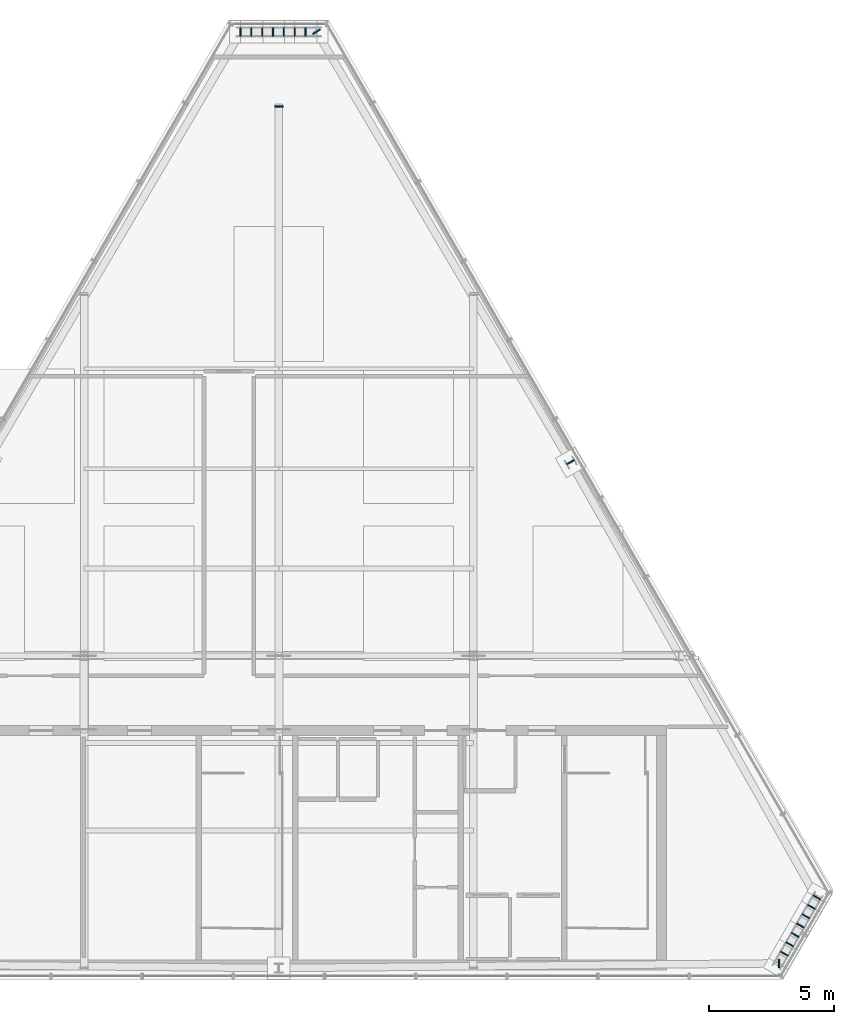
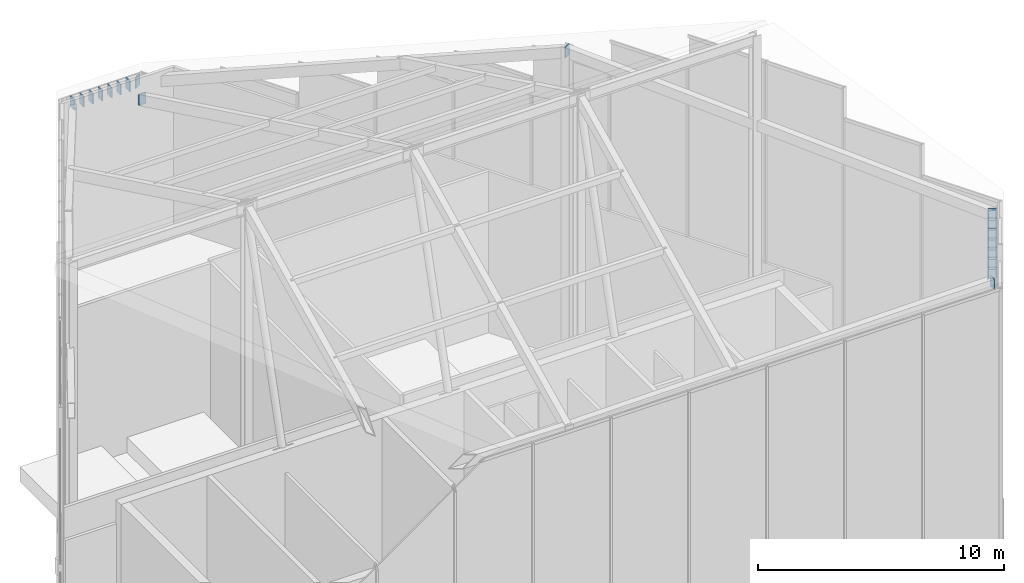
# One storey, part 33 of 36: 18 plates.
"""IFC4 building model written with IfcOpenShell, lengths in metres."""

import ifcopenshell
import ifcopenshell.guid

model = None  # the IFC model being written
_history = None  # IfcOwnerHistory: only IFC2X3 demands one
_inside = {}  # id of a spatial element -> (the spatial element, [elements in it])
_under = {}  # id of a project, library or spatial element -> (it, [spatial elements below it])
_declared = {}  # id of a project -> (the project, [libraries it declares])
_typed = {}  # id of a type object -> (the type object, [elements of that type])
_made_of = {}  # id of a material, layer set ... -> (it, [elements and type objects made of it])


def new_model(schema):
    """Start an empty IFC model of exactly this schema.

    Asked for "IFC4X3", IfcOpenShell would pick the latest addendum, in which some entities
    have other attributes; the version numbers below select the first issue.
    IFC2X3 requires an IfcOwnerHistory on every rooted entity: one is made here for all.
    """
    global model, _history
    if schema == "IFC4X3":
        model = ifcopenshell.file(schema_version=(4, 3, 0, 0))
    else:
        model = ifcopenshell.file(schema=schema)
    _inside.clear()
    _under.clear()
    _declared.clear()
    _typed.clear()
    _made_of.clear()
    _history = None
    if model.schema == "IFC2X3":
        org = make("IfcOrganization", Name="unknown")
        user = make(
            "IfcPersonAndOrganization",
            ThePerson=make("IfcPerson", FamilyName="unknown"),
            TheOrganization=org,
        )
        app = make(
            "IfcApplication",
            ApplicationDeveloper=org,
            Version="unknown",
            ApplicationFullName="unknown",
            ApplicationIdentifier="unknown",
        )
        _history = make(
            "IfcOwnerHistory",
            OwningUser=user,
            OwningApplication=app,
            ChangeAction="ADDED",
            CreationDate=0,
        )
    return model


def make(cls, **values):
    """One entity of the class cls with the attributes given. An attribute that is None is left unset."""
    return model.create_entity(
        cls, **{name: value for name, value in values.items() if value is not None}
    )


def rooted(cls, **values):
    """An entity with a GlobalId (a new one), such as an element, a storey or a relation."""
    return make(cls, GlobalId=ifcopenshell.guid.new(), OwnerHistory=_history, **values)


def si_unit(unit_type, name, prefix=None):
    """IfcSIUnit, for example si_unit("LENGTHUNIT", "METRE", prefix="MILLI")."""
    return make("IfcSIUnit", UnitType=unit_type, Prefix=prefix, Name=name)


def assignment(units):
    """IfcUnitAssignment: the units of a project."""
    return None if units is None else make("IfcUnitAssignment", Units=units)


def point(xyz):
    """IfcCartesianPoint."""
    return None if xyz is None else make("IfcCartesianPoint", Coordinates=xyz)


def direction(xyz):
    """IfcDirection."""
    return None if xyz is None else make("IfcDirection", DirectionRatios=xyz)


def frame(location, z_axis=None, x_axis=None):
    """IfcAxis2Placement3D, a coordinate frame: its origin and axes. An axis left out is left unset."""
    return make(
        "IfcAxis2Placement3D",
        Location=point(location),
        Axis=direction(z_axis),
        RefDirection=direction(x_axis),
    )


def frame_2d(location, x_axis=None):
    """IfcAxis2Placement2D, a coordinate frame in the plane: its origin and x axis."""
    return make(
        "IfcAxis2Placement2D", Location=point(location), RefDirection=direction(x_axis)
    )


def origin():
    """The frame at (0, 0, 0) with its axes left unset."""
    return frame((0.0, 0.0, 0.0))


def origin_2d():
    """The frame at (0, 0) in the plane with its x axis left unset."""
    return frame_2d((0.0, 0.0))


def place(relative_to, where):
    """IfcLocalPlacement: puts the frame where relative to a parent placement (None: the world)."""
    return make(
        "IfcLocalPlacement", PlacementRelTo=relative_to, RelativePlacement=where
    )


def context(
    kind, dimensions, precision=None, world=None, true_north=None, identifier=None
):
    """IfcGeometricRepresentationContext, for example the 3D "Model" context."""
    return make(
        "IfcGeometricRepresentationContext",
        ContextIdentifier=identifier,
        ContextType=kind,
        CoordinateSpaceDimension=dimensions,
        Precision=precision,
        WorldCoordinateSystem=world,
        TrueNorth=true_north,
    )


def subcontext(parent, identifier, kind, view, scale=None):
    """IfcGeometricRepresentationSubContext, for example "Body" below "Model"."""
    return make(
        "IfcGeometricRepresentationSubContext",
        ContextIdentifier=identifier,
        ContextType=kind,
        ParentContext=parent,
        TargetScale=scale,
        TargetView=view,
    )


def project(units=None, contexts=None):
    """IfcProject with its units and contexts."""
    return rooted(
        "IfcProject",
        Name="project",
        RepresentationContexts=contexts,
        UnitsInContext=assignment(units),
    )


def spatial(cls, under=None, at=None, **own):
    """A site, building, storey or space (cls), placed at a placement, below another one or the project."""
    s = rooted(cls, ObjectPlacement=at, **own)
    if under is not None:
        _under.setdefault(under.id(), (under, []))[1].append(s)
    return s


def profile(cls, at=None, kind="AREA", **sizes):
    """A parametric profile (cls). Its sizes go by their IFC names, for example OverallWidth=200.0."""
    return make(cls, ProfileType=kind, Position=at, **sizes)


def rectangle(**sizes):
    """IfcRectangleProfileDef."""
    return profile("IfcRectangleProfileDef", **sizes)


def extrude(swept, where, along, depth):
    """IfcExtrudedAreaSolid: the profile swept, set in the frame where, extruded along a direction by depth."""
    return make(
        "IfcExtrudedAreaSolid",
        SweptArea=swept,
        Position=where,
        ExtrudedDirection=direction(along),
        Depth=depth,
    )


def shape(context_of_items, identifier, shape_type, items):
    """IfcShapeRepresentation: the items that make up one representation, for example the "Body"."""
    return make(
        "IfcShapeRepresentation",
        ContextOfItems=context_of_items,
        RepresentationIdentifier=identifier,
        RepresentationType=shape_type,
        Items=items,
    )


def material(Name=None, Category=None):
    """IfcMaterial."""
    return make("IfcMaterial", Name=Name, Category=Category)


def layer(
    of_material, thickness, ventilated=None, Name=None, Category=None, Priority=None
):
    """IfcMaterialLayer: one layer of a wall or slab, of a material (None: an air gap)."""
    return make(
        "IfcMaterialLayer",
        Material=of_material,
        LayerThickness=thickness,
        IsVentilated=ventilated,
        Name=Name,
        Category=Category,
        Priority=Priority,
    )


def layer_set(layers, Name=None):
    """IfcMaterialLayerSet."""
    return make("IfcMaterialLayerSet", MaterialLayers=layers, LayerSetName=Name)


def made_of(thing, what):
    """Note that an element or type object is made of a material, layer set ...; save() writes the relation."""
    if what is not None:
        _made_of.setdefault(what.id(), (what, []))[1].append(thing)
    return thing


def type_object(cls, material=None, **own):
    """A type object (cls), such as IfcWallType, which elements share."""
    return made_of(rooted(cls, **own), material)


def element(
    cls,
    number,
    at=None,
    inside=None,
    cuts=None,
    type_object=None,
    material=None,
    context=None,
    identifier="Body",
    shape_type=None,
    held_by="IfcProductDefinitionShape",
    body=None,
    shapes=None,
    **own,
):
    """One element of the class cls, such as IfcWall. Its Tag is "e" and its number.

    at: its placement. inside: the storey or other place that contains it. cuts: it is an
    opening in that element (IfcRelVoidsElement). A single representation is given by context,
    identifier, shape_type and body (its items); several are given by shapes. held_by: the class
    of the entity that holds the representations. save() writes the other relations.
    """
    e = rooted(cls, Tag="e%d" % number, ObjectPlacement=at, **own)
    if body is not None:
        shapes = [shape(context, identifier, shape_type, body)]
    if shapes is not None:
        e.Representation = make(held_by, Representations=shapes)
    if inside is not None:
        _inside.setdefault(inside.id(), (inside, []))[1].append(e)
    if cuts is not None:
        rooted(
            "IfcRelVoidsElement", RelatingBuildingElement=cuts, RelatedOpeningElement=e
        )
    if type_object is not None:
        _typed.setdefault(type_object.id(), (type_object, []))[1].append(e)
    return made_of(e, material)


def aggregate(whole, parts):
    """IfcRelAggregates: a whole, such as a stair, and the parts it consists of."""
    return rooted("IfcRelAggregates", RelatingObject=whole, RelatedObjects=parts)


def save(model, path):
    """Write the relations noted so far, then the file.

    IfcRelAggregates (storeys below a building ...), IfcRelContainedInSpatialStructure (elements
    in a storey), IfcRelDefinesByType, IfcRelAssociatesMaterial and IfcRelDeclares: one each for
    every whole, place, type object, material and project.
    """
    for whole, parts in _under.values():
        aggregate(whole, parts)
    for where, things in _inside.values():
        rooted(
            "IfcRelContainedInSpatialStructure",
            RelatedElements=things,
            RelatingStructure=where,
        )
    for kind, things in _typed.values():
        rooted("IfcRelDefinesByType", RelatedObjects=things, RelatingType=kind)
    for what, things in _made_of.values():
        rooted("IfcRelAssociatesMaterial", RelatedObjects=things, RelatingMaterial=what)
    for by, libraries in _declared.values():
        rooted("IfcRelDeclares", RelatingContext=by, RelatedDefinitions=libraries)
    model.write(path)


model = new_model("IFC4")

# Units and contexts
model_context = context("Model", 3, precision=1e-05, world=origin(), true_north=direction((0.0, 1.0)))
body_context = subcontext(model_context, "Body", "Model", "MODEL_VIEW")
ifc_project = project(units=[si_unit("LENGTHUNIT", "METRE"), si_unit("AREAUNIT", "SQUARE_METRE"), si_unit("VOLUMEUNIT", "CUBIC_METRE"), si_unit("PLANEANGLEUNIT", "RADIAN"), si_unit("MASSUNIT", "GRAM", prefix="KILO")], contexts=[model_context])

# Site, building, storey
site_placement = place(None, origin())
site = spatial("IfcSite", under=ifc_project, at=site_placement, CompositionType="ELEMENT")
building_placement = place(site_placement, origin())
building = spatial("IfcBuilding", under=site, at=building_placement, Name="Ndaravel Arena Tower", CompositionType="ELEMENT")
storey_placement = place(building_placement, frame((0.0, 0.0, 308.10009765625)))
storey = spatial("IfcBuildingStorey", under=building, at=storey_placement, Name="Roof Crown", CompositionType="ELEMENT", Elevation=308.10009765625)

# Plates
ifc_material = material(Name="Steel S460", Category="steel")
ifc_layer = layer(ifc_material, 0.050048828125)
ifc_layer_set = layer_set([ifc_layer], Name="Steel S460")
plate_type = type_object("IfcPlateType", Name="PLT-CAP-STF2", PredefinedType="USERDEFINED", material=ifc_layer_set)
for number, where, z_axis, x_axis, name in (
    (1, (62.0537109375, 5.66796875, 12.92578125), (0.0, 0.0, 1.0), (0.999955587109, 0.009424638433, 0.0), "Roof Crown Hollow Section Sealed End Cap Plate HCP-078"),
    (2, (62.262451171875, 6.055419921875, 13.11474609375), (0.0, 0.0, 1.0), (0.5, 0.866025403784, 0.0), "Roof Crown Hollow Section Sealed End Cap Plate HCP-079"),
    (3, (62.4794921875, 6.43115234375, 13.2978515625), (0.0, 0.0, 1.0), (0.500151142331, 0.865938124132, 0.0), "Roof Crown Hollow Section Sealed End Cap Plate HCP-080"),
    (4, (62.6962890625, 6.806884765625, 13.481201171875), (0.0, 0.0, 1.0), (0.5, 0.866025403784, 0.0), "Roof Crown Hollow Section Sealed End Cap Plate HCP-081"),
    (5, (62.9130859375, 7.182373046875, 13.664306640625), (0.0, 0.0, 1.0), (0.499848842438, 0.866112657056, 0.0), "Roof Crown Hollow Section Sealed End Cap Plate HCP-082"),
    (6, (63.1298828125, 7.55810546875, 13.84765625), (0.0, 0.0, 1.0), (0.5, 0.866025403784, 0.0), "Roof Crown Hollow Section Sealed End Cap Plate HCP-083"),
    (7, (63.346923828125, 7.93359375, 14.03076171875), (0.0, 0.0, 1.0), (0.500151142331, 0.865938124132, 0.0), "Roof Crown Hollow Section Sealed End Cap Plate HCP-084"),
    (8, (63.563720703125, 8.309326171875, 14.214111328125), (0.0, 0.0, 1.0), (0.5, 0.866025403784, 0.0), "Roof Crown Hollow Section Sealed End Cap Plate HCP-085"),
    (9, (53.69287109375, 25.75830078125, 15.16357421875), (0.0, 0.0, 1.0), (-0.49181581725, 0.870699260309, 0.0), "Roof Crown Hollow Section Sealed End Cap Plate HCP-086"),
    (10, (43.51123046875, 43.017333984375, 6.73876953125), (0.0, 0.0, 1.0), (-0.508139769859, 0.861274621876, 0.0), "Roof Crown Hollow Section Sealed End Cap Plate HCP-087"),
    (11, (43.0693359375, 43.00537109375, 6.744384765625), (0.0, 0.0, 1.0), (-1.0, 0.0, 0.0), "Roof Crown Hollow Section Sealed End Cap Plate HCP-088"),
    (12, (42.6357421875, 43.00537109375, 6.744384765625), (0.0, 0.0, 1.0), (-1.0, 0.0, 0.0), "Roof Crown Hollow Section Sealed End Cap Plate HCP-089"),
    (13, (42.201904296875, 43.00537109375, 6.744384765625), (0.0, 0.0, 1.0), (-1.0, 0.0, 0.0), "Roof Crown Hollow Section Sealed End Cap Plate HCP-090"),
    (14, (41.76806640625, 43.00537109375, 6.744384765625), (0.0, 0.0, 1.0), (-1.0, 0.0, 0.0), "Roof Crown Hollow Section Sealed End Cap Plate HCP-091"),
    (15, (41.334228515625, 43.00537109375, 6.744384765625), (0.0, 0.0, 1.0), (-1.0, 0.0, 0.0), "Roof Crown Hollow Section Sealed End Cap Plate HCP-092"),
    (16, (40.900634765625, 43.00537109375, 6.744384765625), (0.0, 0.0, 1.0), (-1.0, 0.0, 0.0), "Roof Crown Hollow Section Sealed End Cap Plate HCP-093"),
    (17, (40.466796875, 43.00537109375, 6.744384765625), (0.0, 0.0, 1.0), (-1.0, 0.0, 0.0), "Roof Crown Hollow Section Sealed End Cap Plate HCP-094"),
    (18, (42.0, 40.013427734375, 8.2138671875), (0.0, 0.0, 1.0), (0.0, 1.0, 0.0), "Roof Crown Hollow Section Sealed End Cap Plate HCP-108"),
):
    element("IfcPlate", number, at=place(storey_placement, frame(where, z_axis=z_axis, x_axis=x_axis)), inside=storey, type_object=plate_type, Name=name, ObjectType="STIFFENER_PLATE", PredefinedType="USERDEFINED", context=body_context, shape_type="SweptSolid", body=[
        extrude(rectangle(XDim=0.050048828125, YDim=0.340087890625, at=origin_2d()), origin(), (0.0, 0.0, 1.0), 0.52001953125),
    ])

save(model, "model.ifc")
